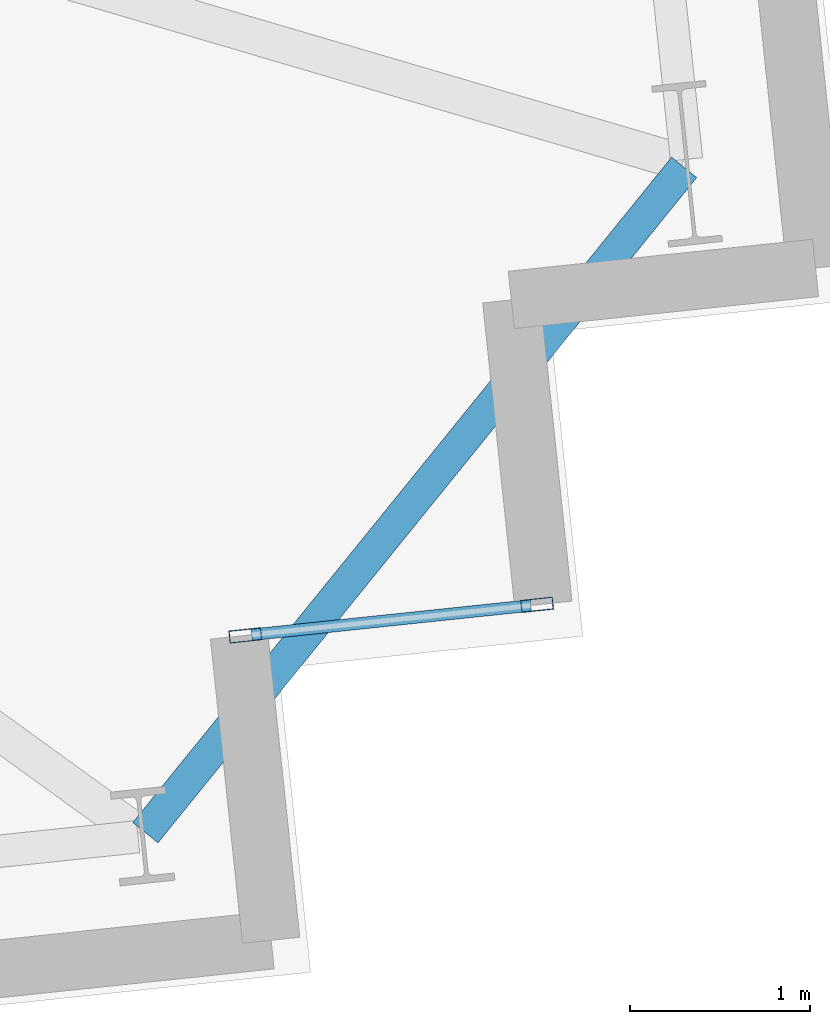
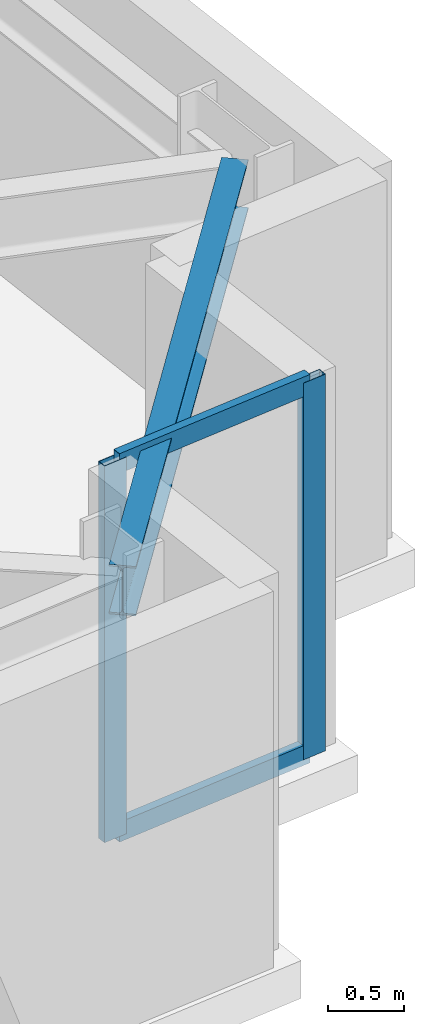
# One storey, part 6 of 18: 4 members, 1 beam, 1 element without a shape of its own.
"""IFC4 building model written with IfcOpenShell, lengths in metres."""

from ifc_helpers import new_model, si_unit, direction, frame, origin, origin_2d, place, context, subcontext, project, spatial, hollow_rectangle, i_section, extrude, material, layer, layer_set, material_profile, profile_set, type_object, element, aggregate, save


model = new_model("IFC4")

# Units and contexts
model_context = context("Model", 3, precision=1e-05, world=origin(), true_north=direction((0.0, 1.0)))
body_context = subcontext(model_context, "Body", "Model", "MODEL_VIEW")
ifc_project = project(units=[si_unit("LENGTHUNIT", "METRE"), si_unit("AREAUNIT", "SQUARE_METRE"), si_unit("VOLUMEUNIT", "CUBIC_METRE"), si_unit("PLANEANGLEUNIT", "RADIAN"), si_unit("MASSUNIT", "GRAM", prefix="KILO")], contexts=[model_context])

# Site, building, storey
site_placement = place(None, origin())
site = spatial("IfcSite", under=ifc_project, at=site_placement, CompositionType="ELEMENT")
building_placement = place(site_placement, origin())
building = spatial("IfcBuilding", under=site, at=building_placement, Name="Qobustan Lattice House", CompositionType="ELEMENT")
storey_placement = place(building_placement, frame((0.0, 0.0, 119.199951171875)))
storey = spatial("IfcBuildingStorey", under=building, at=storey_placement, Name="L33", CompositionType="ELEMENT", Elevation=119.199951171875)

# Beam
ifc_material_1 = material(Name="Steel S355", Category="steel")
ifc_material_profile_1 = material_profile(ifc_material_1, i_section(OverallWidth=0.179931640625, OverallDepth=0.39990234375, WebThickness=0.008544921875, FlangeThickness=0.013427734375, FilletRadius=0.02099609375, at=origin_2d()), Name="IPE400")
ifc_profile_set_1 = profile_set([ifc_material_profile_1], Name="Steel S355")
beam_type = type_object("IfcBeamType", Name="BM-SPD-IPE400", PredefinedType="SPANDREL", material=ifc_profile_set_1)
beam_placement = place(storey_placement, frame((29.608642578125, -13.3876953125, 2.844970703125), z_axis=(0.629351720588, 0.777120590252, 0.0), x_axis=(-0.777120590252, 0.629351720588, 0.0)))
element("IfcBeam", 1, at=beam_placement, inside=storey, type_object=beam_type, Name="L33 perimeter spandrel S7-E1", PredefinedType="SPANDREL", context=body_context, shape_type="SweptSolid", body=[
    extrude(i_section(OverallWidth=0.179931640625, OverallDepth=0.39990234375, WebThickness=0.008544921875, FlangeThickness=0.013427734375, FilletRadius=0.02099609375, at=origin_2d()), origin(), (0.0, 0.0, 1.0), 4.75830078125),
])

# Curtain wall, members
ifc_material_2 = material(Name="Anodised aluminium and low-E glazing", Category="aluminium")
ifc_layer = layer(ifc_material_2, 0.219970703125)
ifc_layer_set = layer_set([ifc_layer], Name="Anodised aluminium and low-E glazing")
curtain_wall_type = type_object("IfcCurtainWallType", Name="CW-FAC-01", PredefinedType="USERDEFINED", material=ifc_layer_set)
curtain_wall_placement = place(storey_placement, origin())
curtain_wall = element("IfcCurtainWall", 2, at=curtain_wall_placement, inside=storey, type_object=curtain_wall_type, Name="L33 serrated corner faceted glazing 18", ObjectType="CURTAIN WALL", PredefinedType="USERDEFINED")
ifc_material_3 = material(Name="Anodised aluminium EN AW-6063 T6", Category="aluminium")
ifc_material_profile_2 = material_profile(ifc_material_3, hollow_rectangle(XDim=0.070068359375, YDim=0.179931640625, WallThickness=0.00439453125, at=origin_2d()), Name="CWM-180x70")
ifc_profile_set_2 = profile_set([ifc_material_profile_2], Name="Anodised aluminium EN AW-6063 T6")
member_type_1 = type_object("IfcMemberType", Name="CWM-STD-180", PredefinedType="MULLION", material=ifc_profile_set_2)
member_1_placement = place(storey_placement, frame((31.785400390625, -12.12109375, 0.0), z_axis=(0.0, 0.0, 1.0), x_axis=(0.104528620025, -0.994521878892, 0.0)))
member_1 = element("IfcMember", 3, at=member_1_placement, type_object=member_type_1, Name="CW-F1 mullion 1", PredefinedType="MULLION", context=body_context, shape_type="SweptSolid", body=[
    extrude(hollow_rectangle(XDim=0.070068359375, YDim=0.179931640625, WallThickness=0.00439453125, at=origin_2d()), origin(), (0.0, 0.0, 1.0), 3.045166015625),
])
member_2_placement = place(storey_placement, frame((30.164306640625, -12.29150390625, 0.0), z_axis=(0.0, 0.0, 1.0), x_axis=(0.104528620025, -0.994521878892, 0.0)))
member_2 = element("IfcMember", 4, at=member_2_placement, type_object=member_type_1, Name="CW-F1 mullion 2", PredefinedType="MULLION", context=body_context, shape_type="SweptSolid", body=[
    extrude(hollow_rectangle(XDim=0.070068359375, YDim=0.179931640625, WallThickness=0.00439453125, at=origin_2d()), origin(), (0.0, 0.0, 1.0), 3.045166015625),
])
ifc_material_4 = material(Name="Anodised aluminium EN AW-6063 T6", Category="aluminium")
ifc_material_profile_3 = material_profile(ifc_material_4, hollow_rectangle(XDim=0.06494140625, YDim=0.159912109375, WallThickness=0.00390625, at=origin_2d()), Name="CWT-160x65")
ifc_profile_set_3 = profile_set([ifc_material_profile_3], Name="Anodised aluminium EN AW-6063 T6")
member_type_2 = type_object("IfcMemberType", Name="CWT-HOR-160", PredefinedType="USERDEFINED", material=ifc_profile_set_3)
member_3_placement = place(storey_placement, frame((31.750732421875, -12.124755859375, 0.032470703125), z_axis=(-0.994520877159, -0.104538150424, 0.0), x_axis=(0.104538150424, -0.994520877159, 0.0)))
member_3 = element("IfcMember", 5, at=member_3_placement, type_object=member_type_2, Name="CW-F1 transom 1.1", ObjectType="TRANSOM", PredefinedType="USERDEFINED", context=body_context, shape_type="SweptSolid", body=[
    extrude(hollow_rectangle(XDim=0.06494140625, YDim=0.159912109375, WallThickness=0.00390625, at=origin_2d()), origin(), (0.0, 0.0, 1.0), 1.56005859375),
])
member_4_placement = place(storey_placement, frame((31.750732421875, -12.124755859375, 3.012451171875), z_axis=(-0.994520877159, -0.104538150424, 0.0), x_axis=(0.104538150424, -0.994520877159, 0.0)))
member_4 = element("IfcMember", 6, at=member_4_placement, type_object=member_type_2, Name="CW-F1 transom 1.2", ObjectType="TRANSOM", PredefinedType="USERDEFINED", context=body_context, shape_type="SweptSolid", body=[
    extrude(hollow_rectangle(XDim=0.06494140625, YDim=0.159912109375, WallThickness=0.00390625, at=origin_2d()), origin(), (0.0, 0.0, 1.0), 1.56005859375),
])
aggregate(curtain_wall, [member_1, member_2, member_3, member_4])

save(model, "model.ifc")
